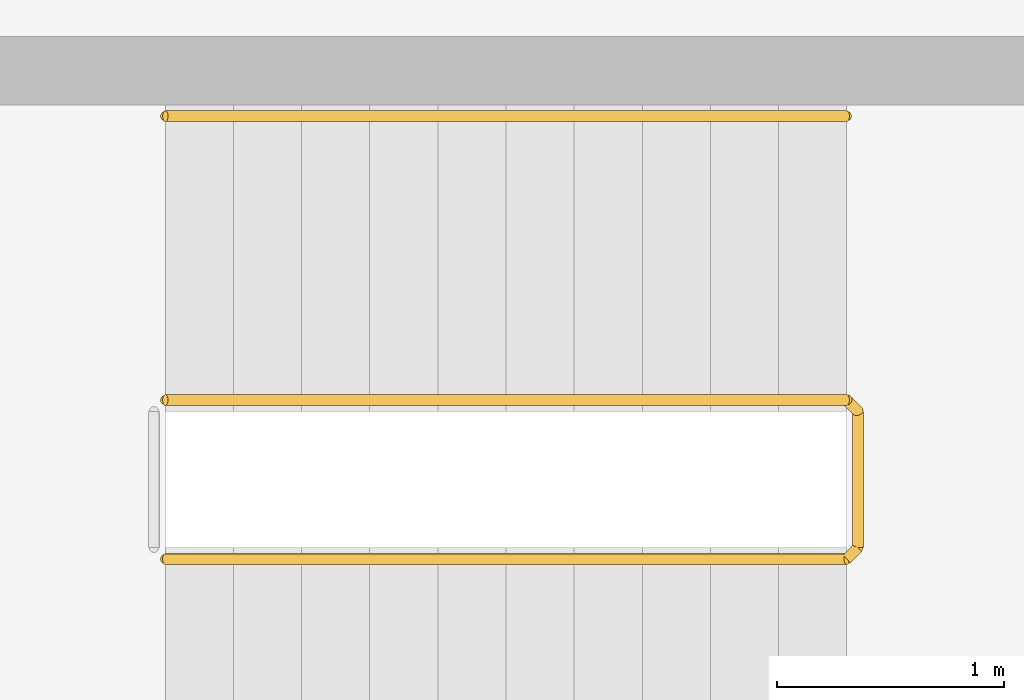
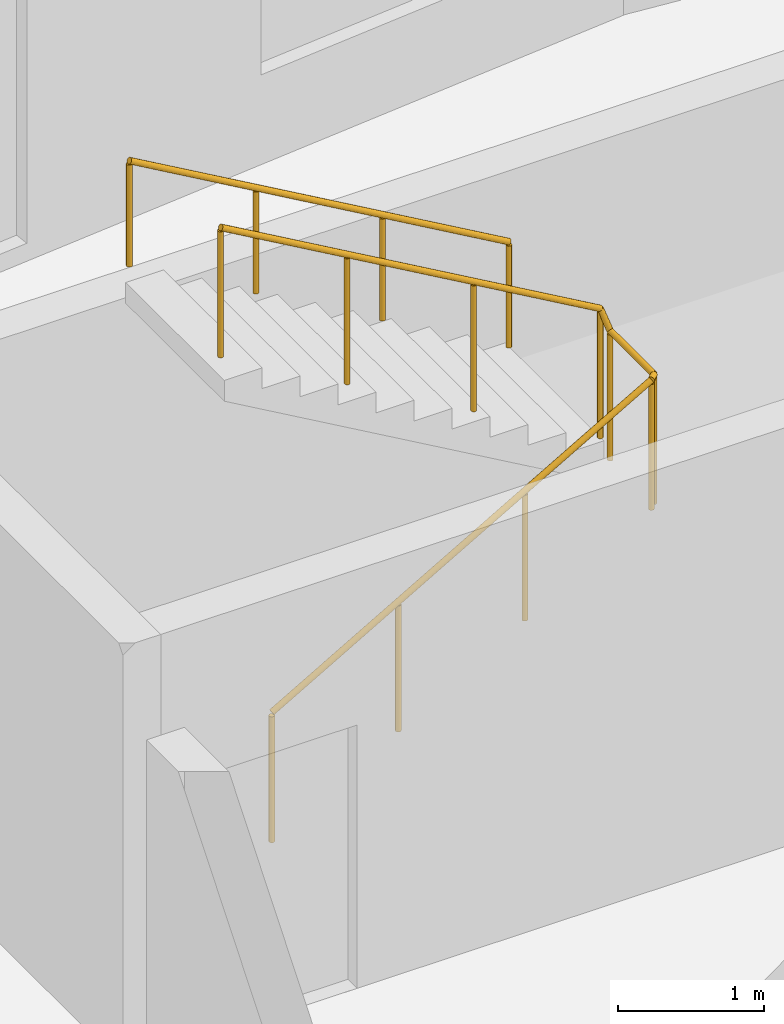
# One storey, part 11 of 11: 2 railings.
"""IFC4 building model written with IfcOpenShell, lengths in metres."""

from ifc_helpers import new_model, si_unit, direction, frame, origin, origin_2d, place, context, subcontext, project, spatial, circle, extrude, material, type_object, element, save


model = new_model("IFC4")

# Units and contexts
model_context = context("Model", 3, precision=1e-05, world=origin(), true_north=direction((0.0, 1.0)))
body_context = subcontext(model_context, "Body", "Model", "MODEL_VIEW")
ifc_project = project(units=[si_unit("LENGTHUNIT", "METRE"), si_unit("AREAUNIT", "SQUARE_METRE"), si_unit("VOLUMEUNIT", "CUBIC_METRE"), si_unit("PLANEANGLEUNIT", "RADIAN"), si_unit("MASSUNIT", "GRAM", prefix="KILO")], contexts=[model_context])

# Site, building, storey
site_placement = place(None, origin())
site = spatial("IfcSite", under=ifc_project, at=site_placement, CompositionType="ELEMENT")
building_placement = place(site_placement, origin())
building = spatial("IfcBuilding", under=site, at=building_placement, Name="Brondeck Convention Tower", CompositionType="ELEMENT")
storey_placement = place(building_placement, frame((0.0, 0.0, 92.300048828125)))
storey = spatial("IfcBuildingStorey", under=building, at=storey_placement, Name="L21", CompositionType="ELEMENT", Elevation=92.300048828125)

# Railings
ifc_material = material(Name="Steel S355", Category="steel")
railing_type_1 = type_object("IfcRailingType", Name="Stair guard 1100", PredefinedType="GUARDRAIL", material=ifc_material)
railing_1_placement = place(storey_placement, frame((37.85009765625, 55.449951171875, 0.172607421875)))
element("IfcRailing", 1, at=railing_1_placement, inside=storey, type_object=railing_type_1, Name="L21 ST-AE stair guard 1", PredefinedType="GUARDRAIL", context=body_context, shape_type="SweptSolid", body=[
    extrude(circle(Radius=0.02392578125, at=origin_2d()), frame((0.0, 0.0, 1.076171875), z_axis=(0.866619684472, 0.0, 0.498969260062), x_axis=(0.0, 1.0, 0.0)), (0.0, 0.0, 1.0), 3.461669921875),
    extrude(circle(Radius=0.02392578125, at=origin_2d()), frame((3.0, 0.0, 2.80322265625), z_axis=(0.705375805398, 0.708833529934, 0.0), x_axis=(-0.708833529934, 0.705375805398, 0.0)), (0.0, 0.0, 1.0), 0.070556640625),
    extrude(circle(Radius=0.02392578125, at=origin_2d()), frame((3.0498046875, 0.050048828125, 2.80322265625), z_axis=(0.0, 1.0, 0.0), x_axis=(-1.0, 0.0, 0.0)), (0.0, 0.0, 1.0), 0.60009765625),
    extrude(circle(Radius=0.02392578125, at=origin_2d()), frame((3.0498046875, 0.650146484375, 2.80322265625), z_axis=(-0.266832911964, 0.266832911964, 0.926067165051), x_axis=(-0.707106781187, -0.707106781187, 0.0)), (0.0, 0.0, 1.0), 0.186767578125),
    extrude(circle(Radius=0.02392578125, at=origin_2d()), frame((3.0, 0.699951171875, 2.97607421875), z_axis=(-0.866619684472, 0.0, 0.498969260062), x_axis=(0.0, -1.0, 0.0)), (0.0, 0.0, 1.0), 3.461669921875),
    extrude(circle(Radius=0.02099609375, at=origin_2d()), origin(), (0.0, 0.0, 1.0), 1.052001953125),
    extrude(circle(Radius=0.02099609375, at=origin_2d()), frame((1.0, 0.0, 0.57568359375)), (0.0, 0.0, 1.0), 1.052001953125),
    extrude(circle(Radius=0.02099609375, at=origin_2d()), frame((2.0, 0.0, 1.151611328125)), (0.0, 0.0, 1.0), 1.052001953125),
    extrude(circle(Radius=0.02099609375, at=origin_2d()), frame((3.0, 0.0, 1.727294921875)), (0.0, 0.0, 1.0), 1.052001953125),
    extrude(circle(Radius=0.02099609375, at=origin_2d()), frame((3.0498046875, 0.050048828125, 1.727294921875)), (0.0, 0.0, 1.0), 1.052001953125),
    extrude(circle(Radius=0.02099609375, at=origin_2d()), frame((3.0498046875, 0.650146484375, 1.727294921875)), (0.0, 0.0, 1.0), 1.052001953125),
    extrude(circle(Radius=0.02099609375, at=origin_2d()), frame((3.0, 0.699951171875, 1.900146484375)), (0.0, 0.0, 1.0), 1.052001953125),
    extrude(circle(Radius=0.02099609375, at=origin_2d()), frame((2.0, 0.699951171875, 2.475830078125)), (0.0, 0.0, 1.0), 1.052001953125),
    extrude(circle(Radius=0.02099609375, at=origin_2d()), frame((1.0, 0.699951171875, 3.0517578125)), (0.0, 0.0, 1.0), 1.052001953125),
    extrude(circle(Radius=0.02099609375, at=origin_2d()), frame((0.0, 0.699951171875, 3.62744140625)), (0.0, 0.0, 1.0), 1.052001953125),
])
railing_type_2 = type_object("IfcRailingType", Name="Stair handrail", PredefinedType="HANDRAIL", material=ifc_material)
railing_2_placement = place(storey_placement, frame((40.85009765625, 57.39990234375, 2.07275390625)))
element("IfcRailing", 2, at=railing_2_placement, inside=storey, type_object=railing_type_2, Name="L21 ST-AE stair handrail 2", PredefinedType="HANDRAIL", context=body_context, shape_type="SweptSolid", body=[
    extrude(circle(Radius=0.02392578125, at=origin_2d()), frame((0.0, 0.0, 0.8759765625), z_axis=(-0.866619684472, 0.0, 0.498969260062), x_axis=(0.0, -1.0, 0.0)), (0.0, 0.0, 1.0), 3.461669921875),
    extrude(circle(Radius=0.02099609375, at=origin_2d()), origin(), (0.0, 0.0, 1.0), 0.851806640625),
    extrude(circle(Radius=0.02099609375, at=origin_2d()), frame((-1.0, 0.0, 0.57568359375)), (0.0, 0.0, 1.0), 0.851806640625),
    extrude(circle(Radius=0.02099609375, at=origin_2d()), frame((-2.0, 0.0, 1.151611328125)), (0.0, 0.0, 1.0), 0.851806640625),
    extrude(circle(Radius=0.02099609375, at=origin_2d()), frame((-3.0, 0.0, 1.727294921875)), (0.0, 0.0, 1.0), 0.851806640625),
])

save(model, "model.ifc")
